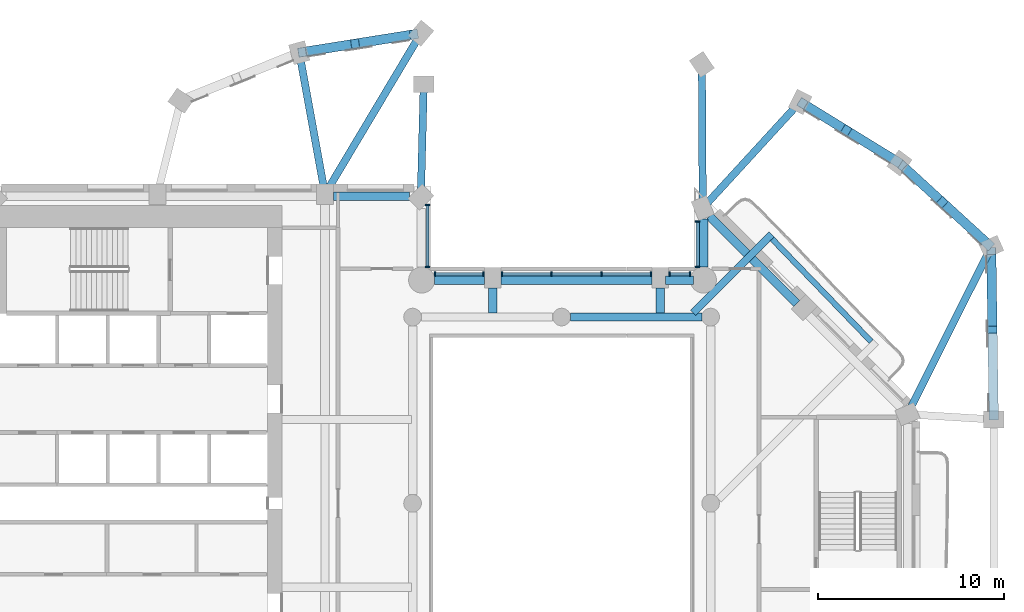
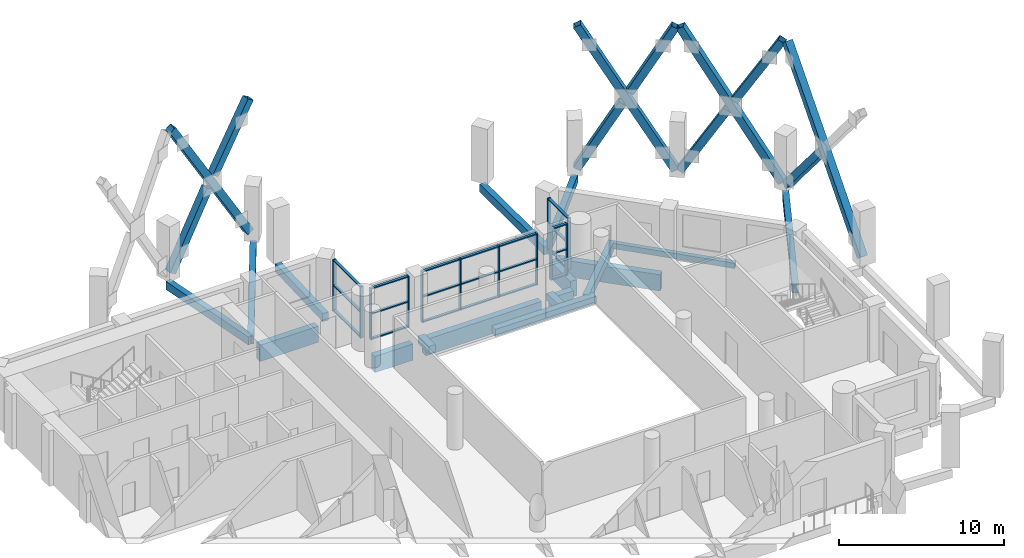
# One storey, part 2 of 15: 44 members, 17 beams, 5 elements without a shape of their own.
"""IFC4 building model written with IfcOpenShell, lengths in metres."""

from ifc_helpers import new_model, si_unit, direction, frame, origin, origin_2d, place, context, subcontext, project, spatial, rectangle, hollow_rectangle, extrude, material, material_profile, profile_set, type_object, element, aggregate, save


model = new_model("IFC4")

# Units and contexts
model_context = context("Model", 3, precision=1e-05, world=origin(), true_north=direction((0.0, 1.0)))
body_context = subcontext(model_context, "Body", "Model", "MODEL_VIEW")
ifc_project = project(units=[si_unit("LENGTHUNIT", "METRE"), si_unit("AREAUNIT", "SQUARE_METRE"), si_unit("VOLUMEUNIT", "CUBIC_METRE"), si_unit("PLANEANGLEUNIT", "RADIAN"), si_unit("MASSUNIT", "GRAM", prefix="KILO")], contexts=[model_context])

# Site, building, storey
site_placement = place(None, origin())
site = spatial("IfcSite", under=ifc_project, at=site_placement, CompositionType="ELEMENT")
building_placement = place(site_placement, origin())
building = spatial("IfcBuilding", under=site, at=building_placement, Name="Cypress Arch Tower", CompositionType="ELEMENT")
storey_placement = place(building_placement, frame((0.0, 0.0, 205.60009765625)))
storey = spatial("IfcBuildingStorey", under=building, at=storey_placement, Name="L45", CompositionType="ELEMENT", Elevation=205.60009765625)

# Beams
ifc_material_1 = material(Name="Concrete C50/60", Category="concrete")
ifc_material_profile_1 = material_profile(ifc_material_1, rectangle(XDim=0.300048828125, YDim=0.39990234375, at=origin_2d()), Name="RC 300x400")
ifc_profile_set_1 = profile_set([ifc_material_profile_1], Name="Concrete C50/60")
beam_type_1 = type_object("IfcBeamType", Name="Balcony edge beam RC 300x400 Concrete C50/60", PredefinedType="BEAM", material=ifc_profile_set_1)
beam_1_placement = place(storey_placement, frame((17.62353515625, 8.68212890625, -0.5), z_axis=(-0.69465194387, 0.719346006368, 0.0), x_axis=(-0.719346006368, -0.69465194387, 0.0)))
element("IfcBeam", 1, at=beam_1_placement, inside=storey, type_object=beam_type_1, Name="Balcony edge beam L45 B05", PredefinedType="BEAM", context=body_context, shape_type="SweptSolid", body=[
    extrude(rectangle(XDim=0.300048828125, YDim=0.39990234375, at=origin_2d()), origin(), (0.0, 0.0, 1.0), 7.662109375),
])
ifc_material_2 = material(Name="Concrete C50/60", Category="concrete")
ifc_material_profile_2 = material_profile(ifc_material_2, rectangle(XDim=0.39990234375, YDim=0.64990234375, at=origin_2d()), Name="RC 400x650")
ifc_profile_set_2 = profile_set([ifc_material_profile_2], Name="Concrete C50/60")
beam_type_2 = type_object("IfcBeamType", Name="Cantilever beam RC 400x650 Concrete C50/60", PredefinedType="BEAM", material=ifc_profile_set_2)
beam_2_placement = place(storey_placement, frame((8.04931640625, 10.22509765625, -0.625), z_axis=(0.707106781187, 0.707106781187, 0.0), x_axis=(-0.707106781187, 0.707106781187, 0.0)))
element("IfcBeam", 2, at=beam_2_placement, inside=storey, type_object=beam_type_2, Name="Cantilever beam L45 B05 2", PredefinedType="BEAM", context=body_context, shape_type="SweptSolid", body=[
    extrude(rectangle(XDim=0.39990234375, YDim=0.64990234375, at=origin_2d()), origin(), (0.0, 0.0, 1.0), 5.962646484375),
])

# Members
ifc_material_3 = material(Name="Steel ASTM A500 Grade C", Category="steel")
ifc_material_profile_3 = material_profile(ifc_material_3, hollow_rectangle(XDim=0.508056640625, YDim=0.508056640625, WallThickness=0.017578125, at=origin_2d()), Name="HSS 20x20x3/4")
ifc_profile_set_3 = profile_set([ifc_material_profile_3], Name="Steel ASTM A500 Grade C")
member_type_1 = type_object("IfcMemberType", Name="Exoskeleton brace HSS 20x20x3/4 Steel ASTM A500 Grade C", PredefinedType="BRACE", material=ifc_profile_set_3)
member_1_placement = place(storey_placement, frame((-6.93212890625, 25.17529296875, 0.652099609375), z_axis=(-0.505584670669, -0.080730521878, 0.858991690077), x_axis=(0.157680025713, -0.987490257922, 0.0)))
element("IfcMember", 3, at=member_1_placement, inside=storey, type_object=member_type_1, Name="Exoskeleton brace L45 CQ02-CQ03a", PredefinedType="BRACE", context=body_context, shape_type="SweptSolid", body=[
    extrude(hollow_rectangle(XDim=0.508056640625, YDim=0.508056640625, WallThickness=0.017578125, at=origin_2d()), origin(), (0.0, 0.0, 1.0), 11.860595703125),
])
member_2_placement = place(storey_placement, frame((-6.93212890625, 25.17529296875, 10.44775390625), z_axis=(-0.520278376179, -0.083104554975, -0.849943553551), x_axis=(0.157731437326, -0.987482047269, 0.0)))
element("IfcMember", 4, at=member_2_placement, inside=storey, type_object=member_type_1, Name="Exoskeleton brace L45 CQ02-CQ03b1", PredefinedType="BRACE", context=body_context, shape_type="SweptSolid", body=[
    extrude(hollow_rectangle(XDim=0.508056640625, YDim=0.508056640625, WallThickness=0.017578125, at=origin_2d()), origin(), (0.0, 0.0, 1.0), 5.232177734375),
])
member_3_placement = place(storey_placement, frame((-12.9287109375, 24.2177734375, 0.259521484375), z_axis=(0.491550193496, 0.078462221608, 0.867307377493), x_axis=(-0.157626526516, 0.987498799057, 0.0)))
element("IfcMember", 5, at=member_3_placement, inside=storey, type_object=member_type_1, Name="Exoskeleton brace L45 CQ02-CQ03b2", PredefinedType="BRACE", context=body_context, shape_type="SweptSolid", body=[
    extrude(hollow_rectangle(XDim=0.508056640625, YDim=0.508056640625, WallThickness=0.017578125, at=origin_2d()), origin(), (0.0, 0.0, 1.0), 5.78125),
])
member_4_placement = place(storey_placement, frame((24.197509765625, 4.675048828125, 0.209716796875), z_axis=(-0.009415469252, 0.640534020566, 0.76787207101), x_axis=(-0.999891981245, -0.014697817606, 0.0)))
element("IfcMember", 6, at=member_4_placement, inside=storey, type_object=member_type_1, Name="Exoskeleton brace L45 CQ14-CQ15a", PredefinedType="BRACE", context=body_context, shape_type="SweptSolid", body=[
    extrude(hollow_rectangle(XDim=0.508056640625, YDim=0.508056640625, WallThickness=0.017578125, at=origin_2d()), origin(), (0.0, 0.0, 1.0), 13.846435546875),
])
member_5_placement = place(storey_placement, frame((24.067138671875, 13.544189453125, 0.2578125), z_axis=(0.009415963379, -0.642250258031, 0.766437176612), x_axis=(0.999892546406, 0.014659319295, 0.0)))
element("IfcMember", 7, at=member_5_placement, inside=storey, type_object=member_type_1, Name="Exoskeleton brace L45 CQ14-CQ15b2", PredefinedType="BRACE", context=body_context, shape_type="SweptSolid", body=[
    extrude(hollow_rectangle(XDim=0.508056640625, YDim=0.508056640625, WallThickness=0.017578125, at=origin_2d()), origin(), (0.0, 0.0, 1.0), 6.585693359375),
])
member_6_placement = place(storey_placement, frame((23.921875, 13.88916015625, 0.31982421875), z_axis=(-0.38024185119, 0.348034813706, 0.856906005961), x_axis=(-0.675176044465, -0.737656633523, 0.0)))
element("IfcMember", 8, at=member_6_placement, inside=storey, type_object=member_type_1, Name="Exoskeleton brace L45 CQ15-CQ16a", PredefinedType="BRACE", context=body_context, shape_type="SweptSolid", body=[
    extrude(hollow_rectangle(XDim=0.508056640625, YDim=0.508056640625, WallThickness=0.017578125, at=origin_2d()), origin(), (0.0, 0.0, 1.0), 12.2802734375),
])
member_7_placement = place(storey_placement, frame((23.921875, 13.88916015625, 10.780029296875), z_axis=(-0.381923937811, 0.349569899146, -0.85553199317), x_axis=(-0.675171287783, -0.737660987279, 0.0)))
element("IfcMember", 9, at=member_7_placement, inside=storey, type_object=member_type_1, Name="Exoskeleton brace L45 CQ15-CQ16b1", PredefinedType="BRACE", context=body_context, shape_type="SweptSolid", body=[
    extrude(hollow_rectangle(XDim=0.508056640625, YDim=0.508056640625, WallThickness=0.017578125, at=origin_2d()), origin(), (0.0, 0.0, 1.0), 5.674560546875),
])
member_8_placement = place(storey_placement, frame((19.25244140625, 18.1630859375, 0.257080078125), z_axis=(0.378598463486, -0.346526055601, 0.858244077309), x_axis=(0.67517120176, 0.737661066014, 0.0)))
element("IfcMember", 10, at=member_8_placement, inside=storey, type_object=member_type_1, Name="Exoskeleton brace L45 CQ15-CQ16b2", PredefinedType="BRACE", context=body_context, shape_type="SweptSolid", body=[
    extrude(hollow_rectangle(XDim=0.508056640625, YDim=0.508056640625, WallThickness=0.017578125, at=origin_2d()), origin(), (0.0, 0.0, 1.0), 5.762451171875),
])
member_9_placement = place(storey_placement, frame((19.010009765625, 18.346435546875, 0.2666015625), z_axis=(-0.418602629322, 0.257463858202, 0.870909984122), x_axis=(-0.523894090473, -0.851783412592, 0.0)))
element("IfcMember", 11, at=member_9_placement, inside=storey, type_object=member_type_1, Name="Exoskeleton brace L45 CQ16-CQ17a", PredefinedType="BRACE", context=body_context, shape_type="SweptSolid", body=[
    extrude(hollow_rectangle(XDim=0.508056640625, YDim=0.508056640625, WallThickness=0.017578125, at=origin_2d()), origin(), (0.0, 0.0, 1.0), 12.1328125),
])
member_10_placement = place(storey_placement, frame((19.010009765625, 18.346435546875, 10.833251953125), z_axis=(-0.418572217286, 0.257489285068, -0.870917083879), x_axis=(-0.523959244261, -0.851743335961, 0.0)))
element("IfcMember", 12, at=member_10_placement, inside=storey, type_object=member_type_1, Name="Exoskeleton brace L45 CQ16-CQ17b1", PredefinedType="BRACE", context=body_context, shape_type="SweptSolid", body=[
    extrude(hollow_rectangle(XDim=0.508056640625, YDim=0.508056640625, WallThickness=0.017578125, at=origin_2d()), origin(), (0.0, 0.0, 1.0), 5.616943359375),
])
member_11_placement = place(storey_placement, frame((13.93115234375, 21.47021484375, 0.266357421875), z_axis=(0.418596905239, -0.257434271595, 0.870921481382), x_axis=(0.523855606168, 0.851807081378, 0.0)))
element("IfcMember", 13, at=member_11_placement, inside=storey, type_object=member_type_1, Name="Exoskeleton brace L45 CQ16-CQ17b2", PredefinedType="BRACE", context=body_context, shape_type="SweptSolid", body=[
    extrude(hollow_rectangle(XDim=0.508056640625, YDim=0.508056640625, WallThickness=0.017578125, at=origin_2d()), origin(), (0.0, 0.0, 1.0), 5.6171875),
])

# Beams
ifc_material_4 = material(Name="Concrete C50/60", Category="concrete")
ifc_material_profile_4 = material_profile(ifc_material_4, rectangle(XDim=0.449951171875, YDim=0.550048828125, at=origin_2d()), Name="RC 450x550")
ifc_profile_set_4 = profile_set([ifc_material_profile_4], Name="Concrete C50/60")
beam_type_3 = type_object("IfcBeamType", Name="Floor beam RC 450x550 Concrete C50/60", PredefinedType="BEAM", material=ifc_profile_set_4)
beam_3_placement = place(storey_placement, frame((1.47509765625, 10.0, -0.5751953125), z_axis=(1.0, 0.0, 0.0), x_axis=(0.0, 1.0, 0.0)))
element("IfcBeam", 14, at=beam_3_placement, inside=storey, type_object=beam_type_3, Name="Floor beam L45 RB008", PredefinedType="BEAM", context=body_context, shape_type="SweptSolid", body=[
    extrude(rectangle(XDim=0.449951171875, YDim=0.550048828125, at=origin_2d()), origin(), (0.0, 0.0, 1.0), 7.0498046875),
])
for number, where, z_axis, x_axis, name in (
    (15, (-2.699951171875, 10.22509765625, -0.5751953125), (0.0, 1.0, 0.0), (-1.0, 0.0, 0.0), "Floor beam L45 FB015"),
    (16, (6.300048828125, 10.22509765625, -0.5751953125), (0.0, 1.0, 0.0), (-1.0, 0.0, 0.0), "Floor beam L45 FB017"),
):
    element("IfcBeam", number, at=place(storey_placement, frame(where, z_axis=z_axis, x_axis=x_axis)), inside=storey, type_object=beam_type_3, Name=name, PredefinedType="BEAM", context=body_context, shape_type="SweptSolid", body=[
        extrude(rectangle(XDim=0.449951171875, YDim=0.550048828125, at=origin_2d()), origin(), (0.0, 0.0, 1.0), 1.324951171875),
    ])

# Curtain wall, members
ifc_material_5 = material(Name="Anodised aluminium, bronze finish, clear laminated double glazing", Category="aluminium")
curtain_wall_type = type_object("IfcCurtainWallType", Name="Curtain wall CW7 slot glazing", PredefinedType="NOTDEFINED", material=ifc_material_5)
curtain_wall_1_placement = place(storey_placement, origin())
curtain_wall_1 = element("IfcCurtainWall", 17, at=curtain_wall_1_placement, inside=storey, type_object=curtain_wall_type, Name="Curtain wall L45 slot B06.0", PredefinedType="NOTDEFINED")
ifc_material_6 = material(Name="Anodised aluminium, bronze finish", Category="aluminium")
ifc_material_profile_5 = material_profile(ifc_material_6, rectangle(XDim=0.239990234375, YDim=0.0849609375, at=origin_2d()), Name="Mullion 85x240")
ifc_profile_set_5 = profile_set([ifc_material_profile_5], Name="Anodised aluminium, bronze finish")
member_type_2 = type_object("IfcMemberType", Name="Mullion CW7 85x240", PredefinedType="MULLION", material=ifc_profile_set_5)
member_12_placement = place(storey_placement, frame((8.300048828125, 15.12744140625, 0.0), z_axis=(0.0, 0.0, 1.0), x_axis=(1.0, 0.0, 0.0)))
member_12 = element("IfcMember", 18, at=member_12_placement, type_object=member_type_2, Name="CW7 mullion 1", PredefinedType="MULLION", context=body_context, shape_type="SweptSolid", body=[
    extrude(rectangle(XDim=0.239990234375, YDim=0.0849609375, at=origin_2d()), origin(), (0.0, 0.0, 1.0), 3.7998046875),
])
member_13_placement = place(storey_placement, frame((8.300048828125, 12.697021484375, 0.0), z_axis=(0.0, 0.0, 1.0), x_axis=(1.0, 0.0, 0.0)))
member_13 = element("IfcMember", 19, at=member_13_placement, type_object=member_type_2, Name="CW7 mullion 2", PredefinedType="MULLION", context=body_context, shape_type="SweptSolid", body=[
    extrude(rectangle(XDim=0.239990234375, YDim=0.0849609375, at=origin_2d()), origin(), (0.0, 0.0, 1.0), 3.7998046875),
])

curtain_wall_2_placement = place(storey_placement, origin())
curtain_wall_2 = element("IfcCurtainWall", 20, at=curtain_wall_2_placement, inside=storey, type_object=curtain_wall_type, Name="Curtain wall L45 slot B07.0", PredefinedType="NOTDEFINED")
member_14_placement = place(storey_placement, frame((7.903076171875, 12.300048828125, 0.0), z_axis=(0.0, 0.0, 1.0), x_axis=(0.0, -1.0, 0.0)))
member_14 = element("IfcMember", 21, at=member_14_placement, type_object=member_type_2, Name="CW7 mullion 1", PredefinedType="MULLION", context=body_context, shape_type="SweptSolid", body=[
    extrude(rectangle(XDim=0.239990234375, YDim=0.0849609375, at=origin_2d()), origin(), (0.0, 0.0, 1.0), 3.7998046875),
])
member_15_placement = place(storey_placement, frame((6.79248046875, 12.300048828125, 0.0), z_axis=(0.0, 0.0, 1.0), x_axis=(0.0, -1.0, 0.0)))
member_15 = element("IfcMember", 22, at=member_15_placement, type_object=member_type_2, Name="CW7 mullion 2", PredefinedType="MULLION", context=body_context, shape_type="SweptSolid", body=[
    extrude(rectangle(XDim=0.239990234375, YDim=0.0849609375, at=origin_2d()), origin(), (0.0, 0.0, 1.0), 3.7998046875),
])

curtain_wall_3_placement = place(storey_placement, origin())
curtain_wall_3 = element("IfcCurtainWall", 23, at=curtain_wall_3_placement, inside=storey, type_object=curtain_wall_type, Name="Curtain wall L45 slot B07.1", PredefinedType="NOTDEFINED")
member_16_placement = place(storey_placement, frame((5.8076171875, 12.300048828125, 0.0), z_axis=(0.0, 0.0, 1.0), x_axis=(0.0, -1.0, 0.0)))
member_16 = element("IfcMember", 24, at=member_16_placement, type_object=member_type_2, Name="CW7 mullion 1", PredefinedType="MULLION", context=body_context, shape_type="SweptSolid", body=[
    extrude(rectangle(XDim=0.239990234375, YDim=0.0849609375, at=origin_2d()), origin(), (0.0, 0.0, 1.0), 3.7998046875),
])
member_17_placement = place(storey_placement, frame((3.14990234375, 12.300048828125, 0.0), z_axis=(0.0, 0.0, 1.0), x_axis=(0.0, -1.0, 0.0)))
member_17 = element("IfcMember", 25, at=member_17_placement, type_object=member_type_2, Name="CW7 mullion 2", PredefinedType="MULLION", context=body_context, shape_type="SweptSolid", body=[
    extrude(rectangle(XDim=0.239990234375, YDim=0.0849609375, at=origin_2d()), origin(), (0.0, 0.0, 1.0), 3.7998046875),
])
member_18_placement = place(storey_placement, frame((0.449951171875, 12.300048828125, 0.0), z_axis=(0.0, 0.0, 1.0), x_axis=(0.0, -1.0, 0.0)))
member_18 = element("IfcMember", 26, at=member_18_placement, type_object=member_type_2, Name="CW7 mullion 3", PredefinedType="MULLION", context=body_context, shape_type="SweptSolid", body=[
    extrude(rectangle(XDim=0.239990234375, YDim=0.0849609375, at=origin_2d()), origin(), (0.0, 0.0, 1.0), 3.7998046875),
])
member_19_placement = place(storey_placement, frame((-2.20751953125, 12.300048828125, 0.0), z_axis=(0.0, 0.0, 1.0), x_axis=(0.0, -1.0, 0.0)))
member_19 = element("IfcMember", 27, at=member_19_placement, type_object=member_type_2, Name="CW7 mullion 4", PredefinedType="MULLION", context=body_context, shape_type="SweptSolid", body=[
    extrude(rectangle(XDim=0.239990234375, YDim=0.0849609375, at=origin_2d()), origin(), (0.0, 0.0, 1.0), 3.7998046875),
])

curtain_wall_4_placement = place(storey_placement, origin())
curtain_wall_4 = element("IfcCurtainWall", 28, at=curtain_wall_4_placement, inside=storey, type_object=curtain_wall_type, Name="Curtain wall L45 slot B07.2", PredefinedType="NOTDEFINED")
member_20_placement = place(storey_placement, frame((-3.1923828125, 12.300048828125, 0.0), z_axis=(0.0, 0.0, 1.0), x_axis=(0.0, -1.0, 0.0)))
member_20 = element("IfcMember", 29, at=member_20_placement, type_object=member_type_2, Name="CW7 mullion 1", PredefinedType="MULLION", context=body_context, shape_type="SweptSolid", body=[
    extrude(rectangle(XDim=0.239990234375, YDim=0.0849609375, at=origin_2d()), origin(), (0.0, 0.0, 1.0), 3.7998046875),
])
member_21_placement = place(storey_placement, frame((-5.802978515625, 12.300048828125, 0.0), z_axis=(0.0, 0.0, 1.0), x_axis=(0.0, -1.0, 0.0)))
member_21 = element("IfcMember", 30, at=member_21_placement, type_object=member_type_2, Name="CW7 mullion 2", PredefinedType="MULLION", context=body_context, shape_type="SweptSolid", body=[
    extrude(rectangle(XDim=0.239990234375, YDim=0.0849609375, at=origin_2d()), origin(), (0.0, 0.0, 1.0), 3.7998046875),
])

curtain_wall_5_placement = place(storey_placement, origin())
curtain_wall_5 = element("IfcCurtainWall", 31, at=curtain_wall_5_placement, inside=storey, type_object=curtain_wall_type, Name="Curtain wall L45 slot B08.0", PredefinedType="NOTDEFINED")
member_22_placement = place(storey_placement, frame((-6.199951171875, 12.697021484375, 0.0), z_axis=(0.0, 0.0, 1.0), x_axis=(-1.0, 0.0, 0.0)))
member_22 = element("IfcMember", 32, at=member_22_placement, type_object=member_type_2, Name="CW7 mullion 1", PredefinedType="MULLION", context=body_context, shape_type="SweptSolid", body=[
    extrude(rectangle(XDim=0.239990234375, YDim=0.0849609375, at=origin_2d()), origin(), (0.0, 0.0, 1.0), 3.7998046875),
])
member_23_placement = place(storey_placement, frame((-6.199951171875, 16.02099609375, 0.0), z_axis=(0.0, 0.0, 1.0), x_axis=(-1.0, 0.0, 0.0)))
member_23 = element("IfcMember", 33, at=member_23_placement, type_object=member_type_2, Name="CW7 mullion 2", PredefinedType="MULLION", context=body_context, shape_type="SweptSolid", body=[
    extrude(rectangle(XDim=0.239990234375, YDim=0.0849609375, at=origin_2d()), origin(), (0.0, 0.0, 1.0), 3.7998046875),
])

# Beams
ifc_material_7 = material(Name="Concrete C50/60", Category="concrete")
ifc_material_profile_6 = material_profile(ifc_material_7, rectangle(XDim=0.39990234375, YDim=0.60009765625, at=origin_2d()), Name="RC 400x600")
ifc_profile_set_6 = profile_set([ifc_material_profile_6], Name="Concrete C50/60")
beam_type_4 = type_object("IfcBeamType", Name="Pilotis tie beam RC 400x600 Concrete C50/60", PredefinedType="BEAM", material=ifc_profile_set_6)
beam_4_placement = place(storey_placement, frame((8.53076171875, 23.564697265625, -0.60009765625), z_axis=(0.005886346529, -0.999982675312, 0.0), x_axis=(0.999982675312, 0.005886346529, 0.0)))
element("IfcBeam", 34, at=beam_4_placement, inside=storey, type_object=beam_type_4, Name="Pilotis tie beam L45 CQ00-CB12", PredefinedType="BEAM", context=body_context, shape_type="SweptSolid", body=[
    extrude(rectangle(XDim=0.39990234375, YDim=0.60009765625, at=origin_2d()), origin(), (0.0, 0.0, 1.0), 7.714599609375),
])
beam_5_placement = place(storey_placement, frame((-6.39990234375, 22.5, -0.60009765625), z_axis=(-0.02594853496, -0.999663280077, 0.0), x_axis=(0.999663280077, -0.02594853496, 0.0)))
element("IfcBeam", 35, at=beam_5_placement, inside=storey, type_object=beam_type_4, Name="Pilotis tie beam L45 CQ01-CB17", PredefinedType="BEAM", context=body_context, shape_type="SweptSolid", body=[
    extrude(rectangle(XDim=0.39990234375, YDim=0.60009765625, at=origin_2d()), origin(), (0.0, 0.0, 1.0), 6.05908203125),
])
beam_6_placement = place(storey_placement, frame((-6.54833984375, 25.236572265625, -0.60009765625), z_axis=(-0.51228050024, -0.85881819326, 0.0), x_axis=(0.85881819326, -0.51228050024, 0.0)))
element("IfcBeam", 36, at=beam_6_placement, inside=storey, type_object=beam_type_4, Name="Pilotis tie beam L45 CQ02-CB18", PredefinedType="BEAM", context=body_context, shape_type="SweptSolid", body=[
    extrude(rectangle(XDim=0.39990234375, YDim=0.60009765625, at=origin_2d()), origin(), (0.0, 0.0, 1.0), 10.05615234375),
])
beam_7_placement = place(storey_placement, frame((-13.081298828125, 24.193359375, -0.60009765625), z_axis=(0.178980083609, -0.983852697141, 0.0), x_axis=(0.983852697141, 0.178980083609, 0.0)))
element("IfcBeam", 37, at=beam_7_placement, inside=storey, type_object=beam_type_4, Name="Pilotis tie beam L45 CQ03-CB18", PredefinedType="BEAM", context=body_context, shape_type="SweptSolid", body=[
    extrude(rectangle(XDim=0.39990234375, YDim=0.60009765625, at=origin_2d()), origin(), (0.0, 0.0, 1.0), 7.7177734375),
])
beam_8_placement = place(storey_placement, frame((24.06396484375, 13.75927734375, -0.60009765625), z_axis=(-0.447602582549, -0.894232591721, 0.0), x_axis=(0.894232591721, -0.447602582549, 0.0)))
element("IfcBeam", 38, at=beam_8_placement, inside=storey, type_object=beam_type_4, Name="Pilotis tie beam L45 CQ15-CB10", PredefinedType="BEAM", context=body_context, shape_type="SweptSolid", body=[
    extrude(rectangle(XDim=0.39990234375, YDim=0.60009765625, at=origin_2d()), origin(), (0.0, 0.0, 1.0), 10.041015625),
])
beam_9_placement = place(storey_placement, frame((13.80322265625, 21.549072265625, -0.60009765625), z_axis=(-0.675950483499, -0.736947042776, 0.0), x_axis=(0.736947042776, -0.675950483499, 0.0)))
element("IfcBeam", 39, at=beam_9_placement, inside=storey, type_object=beam_type_4, Name="Pilotis tie beam L45 CQ17-CB12", PredefinedType="BEAM", context=body_context, shape_type="SweptSolid", body=[
    extrude(rectangle(XDim=0.39990234375, YDim=0.60009765625, at=origin_2d()), origin(), (0.0, 0.0, 1.0), 7.73291015625),
])
ifc_material_8 = material(Name="Concrete C50/60", Category="concrete")
ifc_material_profile_7 = material_profile(ifc_material_8, rectangle(XDim=0.449951171875, YDim=1.199951171875, at=origin_2d()), Name="RC 450x1200")
ifc_profile_set_7 = profile_set([ifc_material_profile_7], Name="Concrete C50/60")
beam_type_5 = type_object("IfcBeamType", Name="Spandrel beam RC 450x1200 Concrete C50/60", PredefinedType="SPANDREL", material=ifc_profile_set_7)
beam_10_placement = place(storey_placement, frame((13.622802734375, 10.73486328125, -1.550048828125), z_axis=(-0.707106781187, 0.707106781187, 0.0), x_axis=(-0.707106781187, -0.707106781187, 0.0)))
element("IfcBeam", 40, at=beam_10_placement, inside=storey, type_object=beam_type_5, Name="Spandrel beam L45 BB05-1", PredefinedType="SPANDREL", context=body_context, shape_type="SweptSolid", body=[
    extrude(rectangle(XDim=0.449951171875, YDim=1.199951171875, at=origin_2d()), origin(), (0.0, 0.0, 1.0), 6.610595703125),
])
beam_11_placement = place(storey_placement, frame((8.625, 15.275146484375, -1.550048828125), z_axis=(0.0, -1.0, 0.0), x_axis=(1.0, 0.0, 0.0)))
element("IfcBeam", 41, at=beam_11_placement, inside=storey, type_object=beam_type_5, Name="Spandrel beam L45 BB06-0", PredefinedType="SPANDREL", context=body_context, shape_type="SweptSolid", body=[
    extrude(rectangle(XDim=0.449951171875, YDim=1.199951171875, at=origin_2d()), origin(), (0.0, 0.0, 1.0), 2.587646484375),
])
beam_12_placement = place(storey_placement, frame((8.081298828125, 11.97509765625, -1.550048828125), z_axis=(-1.0, 0.0, 0.0), x_axis=(0.0, -1.0, 0.0)))
element("IfcBeam", 42, at=beam_12_placement, inside=storey, type_object=beam_type_5, Name="Spandrel beam L45 BB07-0", PredefinedType="SPANDREL", context=body_context, shape_type="SweptSolid", body=[
    extrude(rectangle(XDim=0.449951171875, YDim=1.199951171875, at=origin_2d()), origin(), (0.0, 0.0, 1.0), 1.5),
])
beam_13_placement = place(storey_placement, frame((5.85009765625, 11.97509765625, -1.550048828125), z_axis=(-1.0, 0.0, 0.0), x_axis=(0.0, -1.0, 0.0)))
element("IfcBeam", 43, at=beam_13_placement, inside=storey, type_object=beam_type_5, Name="Spandrel beam L45 BB07-1", PredefinedType="SPANDREL", context=body_context, shape_type="SweptSolid", body=[
    extrude(rectangle(XDim=0.449951171875, YDim=1.199951171875, at=origin_2d()), origin(), (0.0, 0.0, 1.0), 8.10009765625),
])
beam_14_placement = place(storey_placement, frame((-3.14990234375, 11.97509765625, -1.550048828125), z_axis=(-1.0, 0.0, 0.0), x_axis=(0.0, -1.0, 0.0)))
element("IfcBeam", 44, at=beam_14_placement, inside=storey, type_object=beam_type_5, Name="Spandrel beam L45 BB07-2", PredefinedType="SPANDREL", context=body_context, shape_type="SweptSolid", body=[
    extrude(rectangle(XDim=0.449951171875, YDim=1.199951171875, at=origin_2d()), origin(), (0.0, 0.0, 1.0), 2.66259765625),
])
beam_15_placement = place(storey_placement, frame((-7.161376953125, 16.47509765625, -1.550048828125), z_axis=(-1.0, 0.0, 0.0), x_axis=(0.0, -1.0, 0.0)))
element("IfcBeam", 45, at=beam_15_placement, inside=storey, type_object=beam_type_5, Name="Spandrel beam L45 BB09-0", PredefinedType="SPANDREL", context=body_context, shape_type="SweptSolid", body=[
    extrude(rectangle(XDim=0.449951171875, YDim=1.199951171875, at=origin_2d()), origin(), (0.0, 0.0, 1.0), 4.088623046875),
])

# Member
ifc_material_9 = material(Name="Anodised aluminium, bronze finish", Category="aluminium")
ifc_material_profile_8 = material_profile(ifc_material_9, rectangle(XDim=0.179931640625, YDim=0.0849609375, at=origin_2d()), Name="Transom 85x180")
ifc_profile_set_8 = profile_set([ifc_material_profile_8], Name="Anodised aluminium, bronze finish")
member_type_3 = type_object("IfcMemberType", Name="Transom CW7 85x180", PredefinedType="USERDEFINED", material=ifc_profile_set_8)
member_24_placement = place(storey_placement, frame((8.300048828125, 15.0849609375, 0.04248046875), z_axis=(0.0, -1.0, 0.0), x_axis=(1.0, 0.0, 0.0)))
member_24 = element("IfcMember", 46, at=member_24_placement, type_object=member_type_3, Name="CW7 transom 1.1", ObjectType="TRANSOM", PredefinedType="USERDEFINED", context=body_context, shape_type="SweptSolid", body=[
    extrude(rectangle(XDim=0.179931640625, YDim=0.0849609375, at=origin_2d()), origin(), (0.0, 0.0, 1.0), 2.345458984375),
])

member_25_placement = place(storey_placement, frame((8.300048828125, 15.0849609375, 1.89990234375), z_axis=(0.0, -1.0, 0.0), x_axis=(1.0, 0.0, 0.0)))
member_25 = element("IfcMember", 47, at=member_25_placement, type_object=member_type_3, Name="CW7 transom 1.2", ObjectType="TRANSOM", PredefinedType="USERDEFINED", context=body_context, shape_type="SweptSolid", body=[
    extrude(rectangle(XDim=0.179931640625, YDim=0.0849609375, at=origin_2d()), origin(), (0.0, 0.0, 1.0), 2.345458984375),
])

member_26_placement = place(storey_placement, frame((8.300048828125, 15.0849609375, 3.75732421875), z_axis=(0.0, -1.0, 0.0), x_axis=(1.0, 0.0, 0.0)))
member_26 = element("IfcMember", 48, at=member_26_placement, type_object=member_type_3, Name="CW7 transom 1.3", ObjectType="TRANSOM", PredefinedType="USERDEFINED", context=body_context, shape_type="SweptSolid", body=[
    extrude(rectangle(XDim=0.179931640625, YDim=0.0849609375, at=origin_2d()), origin(), (0.0, 0.0, 1.0), 2.345458984375),
])

aggregate(curtain_wall_1, [member_12, member_13, member_24, member_25, member_26])

member_27_placement = place(storey_placement, frame((7.8603515625, 12.300048828125, 0.04248046875), z_axis=(-1.0, 0.0, 0.0), x_axis=(0.0, -1.0, 0.0)))
member_27 = element("IfcMember", 49, at=member_27_placement, type_object=member_type_3, Name="CW7 transom 1.1", ObjectType="TRANSOM", PredefinedType="USERDEFINED", context=body_context, shape_type="SweptSolid", body=[
    extrude(rectangle(XDim=0.179931640625, YDim=0.0849609375, at=origin_2d()), origin(), (0.0, 0.0, 1.0), 1.025390625),
])

member_28_placement = place(storey_placement, frame((7.8603515625, 12.300048828125, 1.89990234375), z_axis=(-1.0, 0.0, 0.0), x_axis=(0.0, -1.0, 0.0)))
member_28 = element("IfcMember", 50, at=member_28_placement, type_object=member_type_3, Name="CW7 transom 1.2", ObjectType="TRANSOM", PredefinedType="USERDEFINED", context=body_context, shape_type="SweptSolid", body=[
    extrude(rectangle(XDim=0.179931640625, YDim=0.0849609375, at=origin_2d()), origin(), (0.0, 0.0, 1.0), 1.025390625),
])

member_29_placement = place(storey_placement, frame((7.8603515625, 12.300048828125, 3.75732421875), z_axis=(-1.0, 0.0, 0.0), x_axis=(0.0, -1.0, 0.0)))
member_29 = element("IfcMember", 51, at=member_29_placement, type_object=member_type_3, Name="CW7 transom 1.3", ObjectType="TRANSOM", PredefinedType="USERDEFINED", context=body_context, shape_type="SweptSolid", body=[
    extrude(rectangle(XDim=0.179931640625, YDim=0.0849609375, at=origin_2d()), origin(), (0.0, 0.0, 1.0), 1.025390625),
])

aggregate(curtain_wall_2, [member_14, member_15, member_27, member_28, member_29])

member_30_placement = place(storey_placement, frame((5.764892578125, 12.300048828125, 0.04248046875), z_axis=(-1.0, 0.0, 0.0), x_axis=(0.0, -1.0, 0.0)))
member_30 = element("IfcMember", 52, at=member_30_placement, type_object=member_type_3, Name="CW7 transom 1.1", ObjectType="TRANSOM", PredefinedType="USERDEFINED", context=body_context, shape_type="SweptSolid", body=[
    extrude(rectangle(XDim=0.179931640625, YDim=0.0849609375, at=origin_2d()), origin(), (0.0, 0.0, 1.0), 2.572509765625),
])

member_31_placement = place(storey_placement, frame((5.764892578125, 12.300048828125, 1.89990234375), z_axis=(-1.0, 0.0, 0.0), x_axis=(0.0, -1.0, 0.0)))
member_31 = element("IfcMember", 53, at=member_31_placement, type_object=member_type_3, Name="CW7 transom 1.2", ObjectType="TRANSOM", PredefinedType="USERDEFINED", context=body_context, shape_type="SweptSolid", body=[
    extrude(rectangle(XDim=0.179931640625, YDim=0.0849609375, at=origin_2d()), origin(), (0.0, 0.0, 1.0), 2.572509765625),
])

member_32_placement = place(storey_placement, frame((5.764892578125, 12.300048828125, 3.75732421875), z_axis=(-1.0, 0.0, 0.0), x_axis=(0.0, -1.0, 0.0)))
member_32 = element("IfcMember", 54, at=member_32_placement, type_object=member_type_3, Name="CW7 transom 1.3", ObjectType="TRANSOM", PredefinedType="USERDEFINED", context=body_context, shape_type="SweptSolid", body=[
    extrude(rectangle(XDim=0.179931640625, YDim=0.0849609375, at=origin_2d()), origin(), (0.0, 0.0, 1.0), 2.572509765625),
])

member_33_placement = place(storey_placement, frame((3.107421875, 12.300048828125, 0.04248046875), z_axis=(-1.0, 0.0, 0.0), x_axis=(0.0, -1.0, 0.0)))
member_33 = element("IfcMember", 55, at=member_33_placement, type_object=member_type_3, Name="CW7 transom 2.1", ObjectType="TRANSOM", PredefinedType="USERDEFINED", context=body_context, shape_type="SweptSolid", body=[
    extrude(rectangle(XDim=0.179931640625, YDim=0.0849609375, at=origin_2d()), origin(), (0.0, 0.0, 1.0), 2.614990234375),
])

member_34_placement = place(storey_placement, frame((3.107421875, 12.300048828125, 1.89990234375), z_axis=(-1.0, 0.0, 0.0), x_axis=(0.0, -1.0, 0.0)))
member_34 = element("IfcMember", 56, at=member_34_placement, type_object=member_type_3, Name="CW7 transom 2.2", ObjectType="TRANSOM", PredefinedType="USERDEFINED", context=body_context, shape_type="SweptSolid", body=[
    extrude(rectangle(XDim=0.179931640625, YDim=0.0849609375, at=origin_2d()), origin(), (0.0, 0.0, 1.0), 2.614990234375),
])

member_35_placement = place(storey_placement, frame((3.107421875, 12.300048828125, 3.75732421875), z_axis=(-1.0, 0.0, 0.0), x_axis=(0.0, -1.0, 0.0)))
member_35 = element("IfcMember", 57, at=member_35_placement, type_object=member_type_3, Name="CW7 transom 2.3", ObjectType="TRANSOM", PredefinedType="USERDEFINED", context=body_context, shape_type="SweptSolid", body=[
    extrude(rectangle(XDim=0.179931640625, YDim=0.0849609375, at=origin_2d()), origin(), (0.0, 0.0, 1.0), 2.614990234375),
])

member_36_placement = place(storey_placement, frame((0.407470703125, 12.300048828125, 0.04248046875), z_axis=(-1.0, 0.0, 0.0), x_axis=(0.0, -1.0, 0.0)))
member_36 = element("IfcMember", 58, at=member_36_placement, type_object=member_type_3, Name="CW7 transom 3.1", ObjectType="TRANSOM", PredefinedType="USERDEFINED", context=body_context, shape_type="SweptSolid", body=[
    extrude(rectangle(XDim=0.179931640625, YDim=0.0849609375, at=origin_2d()), origin(), (0.0, 0.0, 1.0), 2.572509765625),
])

member_37_placement = place(storey_placement, frame((0.407470703125, 12.300048828125, 1.89990234375), z_axis=(-1.0, 0.0, 0.0), x_axis=(0.0, -1.0, 0.0)))
member_37 = element("IfcMember", 59, at=member_37_placement, type_object=member_type_3, Name="CW7 transom 3.2", ObjectType="TRANSOM", PredefinedType="USERDEFINED", context=body_context, shape_type="SweptSolid", body=[
    extrude(rectangle(XDim=0.179931640625, YDim=0.0849609375, at=origin_2d()), origin(), (0.0, 0.0, 1.0), 2.572509765625),
])

member_38_placement = place(storey_placement, frame((0.407470703125, 12.300048828125, 3.75732421875), z_axis=(-1.0, 0.0, 0.0), x_axis=(0.0, -1.0, 0.0)))
member_38 = element("IfcMember", 60, at=member_38_placement, type_object=member_type_3, Name="CW7 transom 3.3", ObjectType="TRANSOM", PredefinedType="USERDEFINED", context=body_context, shape_type="SweptSolid", body=[
    extrude(rectangle(XDim=0.179931640625, YDim=0.0849609375, at=origin_2d()), origin(), (0.0, 0.0, 1.0), 2.572509765625),
])

aggregate(curtain_wall_3, [member_16, member_17, member_18, member_19, member_30, member_31, member_32, member_33, member_34, member_35, member_36, member_37, member_38])

member_39_placement = place(storey_placement, frame((-3.235107421875, 12.300048828125, 0.04248046875), z_axis=(-1.0, 0.0, 0.0), x_axis=(0.0, -1.0, 0.0)))
member_39 = element("IfcMember", 61, at=member_39_placement, type_object=member_type_3, Name="CW7 transom 1.1", ObjectType="TRANSOM", PredefinedType="USERDEFINED", context=body_context, shape_type="SweptSolid", body=[
    extrude(rectangle(XDim=0.179931640625, YDim=0.0849609375, at=origin_2d()), origin(), (0.0, 0.0, 1.0), 2.525390625),
])

member_40_placement = place(storey_placement, frame((-3.235107421875, 12.300048828125, 1.89990234375), z_axis=(-1.0, 0.0, 0.0), x_axis=(0.0, -1.0, 0.0)))
member_40 = element("IfcMember", 62, at=member_40_placement, type_object=member_type_3, Name="CW7 transom 1.2", ObjectType="TRANSOM", PredefinedType="USERDEFINED", context=body_context, shape_type="SweptSolid", body=[
    extrude(rectangle(XDim=0.179931640625, YDim=0.0849609375, at=origin_2d()), origin(), (0.0, 0.0, 1.0), 2.525390625),
])

member_41_placement = place(storey_placement, frame((-3.235107421875, 12.300048828125, 3.75732421875), z_axis=(-1.0, 0.0, 0.0), x_axis=(0.0, -1.0, 0.0)))
member_41 = element("IfcMember", 63, at=member_41_placement, type_object=member_type_3, Name="CW7 transom 1.3", ObjectType="TRANSOM", PredefinedType="USERDEFINED", context=body_context, shape_type="SweptSolid", body=[
    extrude(rectangle(XDim=0.179931640625, YDim=0.0849609375, at=origin_2d()), origin(), (0.0, 0.0, 1.0), 2.525390625),
])

aggregate(curtain_wall_4, [member_20, member_21, member_39, member_40, member_41])

member_42_placement = place(storey_placement, frame((-6.199951171875, 12.739501953125, 0.04248046875), z_axis=(0.0, 1.0, 0.0), x_axis=(-1.0, 0.0, 0.0)))
member_42 = element("IfcMember", 64, at=member_42_placement, type_object=member_type_3, Name="CW7 transom 1.1", ObjectType="TRANSOM", PredefinedType="USERDEFINED", context=body_context, shape_type="SweptSolid", body=[
    extrude(rectangle(XDim=0.179931640625, YDim=0.0849609375, at=origin_2d()), origin(), (0.0, 0.0, 1.0), 3.239013671875),
])

member_43_placement = place(storey_placement, frame((-6.199951171875, 12.739501953125, 1.89990234375), z_axis=(0.0, 1.0, 0.0), x_axis=(-1.0, 0.0, 0.0)))
member_43 = element("IfcMember", 65, at=member_43_placement, type_object=member_type_3, Name="CW7 transom 1.2", ObjectType="TRANSOM", PredefinedType="USERDEFINED", context=body_context, shape_type="SweptSolid", body=[
    extrude(rectangle(XDim=0.179931640625, YDim=0.0849609375, at=origin_2d()), origin(), (0.0, 0.0, 1.0), 3.239013671875),
])

member_44_placement = place(storey_placement, frame((-6.199951171875, 12.739501953125, 3.75732421875), z_axis=(0.0, 1.0, 0.0), x_axis=(-1.0, 0.0, 0.0)))
member_44 = element("IfcMember", 66, at=member_44_placement, type_object=member_type_3, Name="CW7 transom 1.3", ObjectType="TRANSOM", PredefinedType="USERDEFINED", context=body_context, shape_type="SweptSolid", body=[
    extrude(rectangle(XDim=0.179931640625, YDim=0.0849609375, at=origin_2d()), origin(), (0.0, 0.0, 1.0), 3.239013671875),
])

aggregate(curtain_wall_5, [member_22, member_23, member_42, member_43, member_44])

save(model, "model.ifc")
